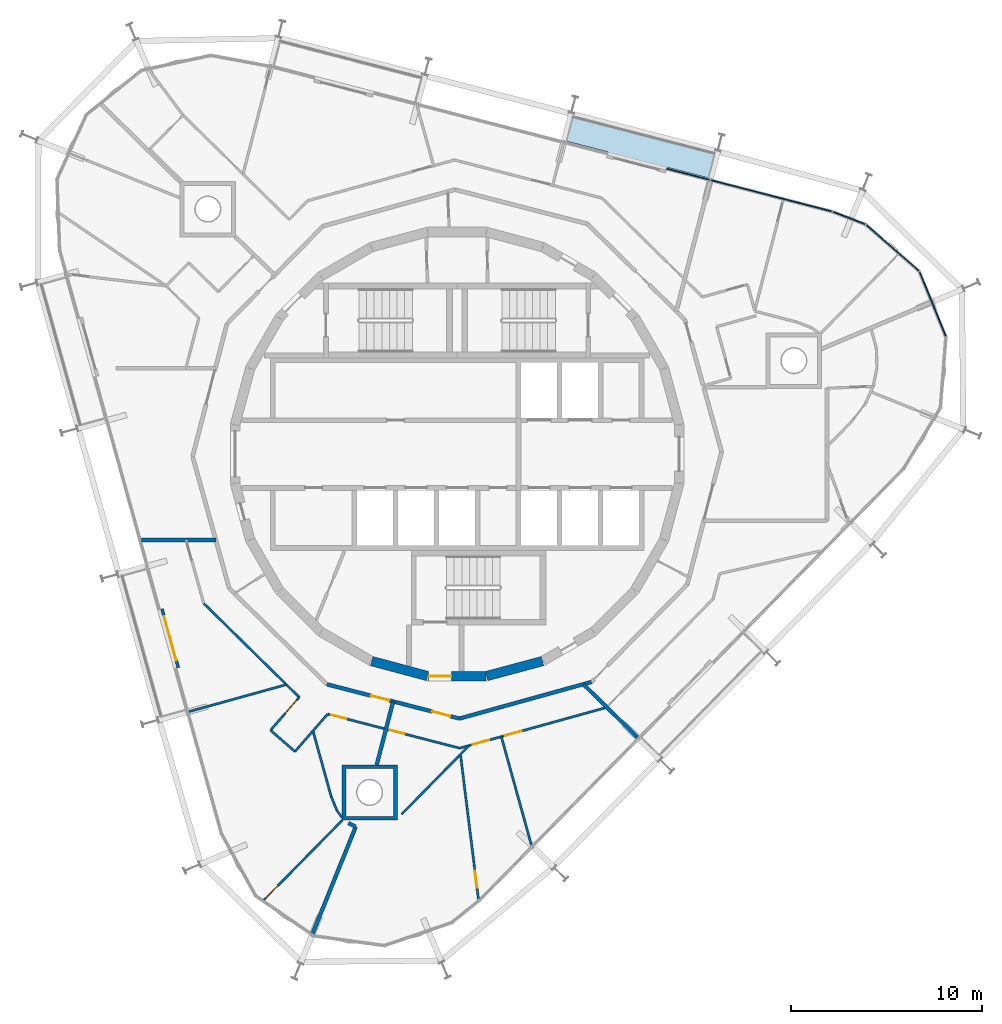
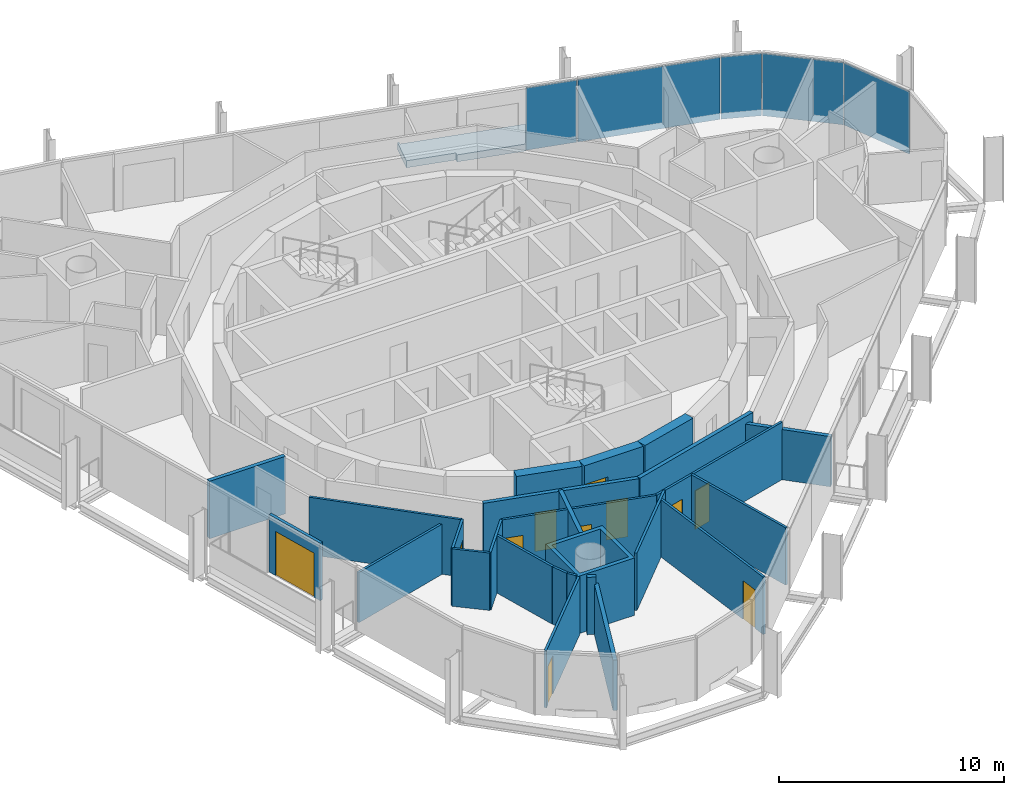
# One storey, part 9 of 15: 26 walls, 11 doors, 5 plates, 1 slab, 11 openings, 2 elements without a shape of their own.
"""IFC4 building model written with IfcOpenShell, lengths in metres."""

from ifc_helpers import new_model, si_unit, direction, frame, frame_2d, origin, origin_2d, place, context, subcontext, project, spatial, polyline, rectangle, outline, extrude, material, layer, layer_set, type_object, element, fill, aggregate, save


model = new_model("IFC4")

# Units and contexts
model_context = context("Model", 3, precision=1e-05, world=origin(), true_north=direction((0.0, 1.0)))
body_context = subcontext(model_context, "Body", "Model", "MODEL_VIEW")
ifc_project = project(units=[si_unit("LENGTHUNIT", "METRE"), si_unit("AREAUNIT", "SQUARE_METRE"), si_unit("VOLUMEUNIT", "CUBIC_METRE"), si_unit("PLANEANGLEUNIT", "RADIAN"), si_unit("MASSUNIT", "GRAM", prefix="KILO")], contexts=[model_context])

# Site, building, storey
site_placement = place(None, origin())
site = spatial("IfcSite", under=ifc_project, at=site_placement, CompositionType="ELEMENT")
building_placement = place(site_placement, origin())
building = spatial("IfcBuilding", under=site, at=building_placement, Name="Spindle Arch Residences", CompositionType="ELEMENT")
storey_placement = place(building_placement, frame((0.0, 0.0, 315.699951171875)))
storey = spatial("IfcBuildingStorey", under=building, at=storey_placement, Name="L81", CompositionType="ELEMENT", Elevation=315.699951171875)

# Slab
ifc_material_1 = material(Name="Concrete C40/50", Category="concrete")
ifc_layer_1 = layer(ifc_material_1, 0.3798828125)
ifc_layer_set_1 = layer_set([ifc_layer_1], Name="Balcony slab 380")
slab_type = type_object("IfcSlabType", Name="Balcony slab 380", PredefinedType="FLOOR", material=ifc_layer_set_1)
slab_placement = place(storey_placement, frame((0.0, 0.0, -0.3798828125)))
element("IfcSlab", 1, at=slab_placement, inside=storey, type_object=slab_type, Name="Balcony L81 bay 6", PredefinedType="FLOOR", context=body_context, shape_type="SweptSolid", body=[
    extrude(outline(polyline([(13.600830078125, 15.916259765625), (13.5283203125, 15.93505859375), (13.49072265625, 15.789794921875), (6.098876953125, 17.701416015625), (6.136474609375, 17.8466796875), (6.063720703125, 17.865478515625), (5.690673828125, 16.4228515625), (7.91015625, 15.848876953125), (7.8701171875, 15.694091796875), (10.96826171875, 14.892822265625), (11.00830078125, 15.047607421875), (13.227783203125, 14.4736328125), (13.600830078125, 15.916259765625)])), origin(), (0.0, 0.0, 1.0), 0.3798828125),
])

# Curtain wall, plates
ifc_material_2 = material(Name="Aluminium bronze unitised frame with tinted glass", Category="aluminium")
ifc_layer_2 = layer(ifc_material_2, 0.159912109375)
ifc_layer_set_2 = layer_set([ifc_layer_2], Name="CW-D corner wall on the fillet arcs")
curtain_wall_type_1 = type_object("IfcCurtainWallType", Name="CW-D corner wall on the fillet arcs", PredefinedType="NOTDEFINED", material=ifc_layer_set_2)
curtain_wall_1_placement = place(storey_placement, origin())
curtain_wall_1 = element("IfcCurtainWall", 2, at=curtain_wall_1_placement, inside=storey, type_object=curtain_wall_type_1, Name="CW-D L81 run 1", PredefinedType="NOTDEFINED")
ifc_material_3 = material(Name="Tinted double glazing over aluminium faced non-combustible spandrel zone (K0)", Category="aluminium")
ifc_layer_3 = layer(ifc_material_3, 0.06005859375)
ifc_layer_set_3 = layer_set([ifc_layer_3], Name="Unitised glass panel with E 60 spandrel zone")
plate_type = type_object("IfcPlateType", Name="Unitised glass panel with E 60 spandrel zone", PredefinedType="CURTAIN_PANEL", material=ifc_layer_set_3)
plate_1_placement = place(storey_placement, frame((24.94384765625, 7.86474609375, -0.3798828125), z_axis=(0.0, 0.0, 1.0), x_axis=(-0.377302072189, 0.926090247396, 0.0)))
plate_1 = element("IfcPlate", 3, at=plate_1_placement, type_object=plate_type, Name="CW-D unit 03", PredefinedType="CURTAIN_PANEL", context=body_context, shape_type="SweptSolid", body=[
    extrude(rectangle(XDim=3.666748046875, YDim=0.06005859375, at=origin_2d()), origin(), (0.0, 0.0, 1.0), 3.3798828125),
])
plate_2_placement = place(storey_placement, frame((22.837890625, 10.81689453125, -0.3798828125), z_axis=(0.0, 0.0, 1.0), x_axis=(-0.752797991635, 0.658251611308, 0.0)))
plate_2 = element("IfcPlate", 4, at=plate_2_placement, type_object=plate_type, Name="CW-D unit 04", PredefinedType="CURTAIN_PANEL", context=body_context, shape_type="SweptSolid", body=[
    extrude(rectangle(XDim=3.666748046875, YDim=0.06005859375, at=origin_2d()), origin(), (0.0, 0.0, 1.0), 3.3798828125),
])
plate_3_placement = place(storey_placement, frame((20.560546875, 12.38232421875, -0.3798828125), z_axis=(0.0, 0.0, 1.0), x_axis=(-0.932534030225, 0.361082099353, 0.0)))
plate_3 = element("IfcPlate", 5, at=plate_3_placement, type_object=plate_type, Name="CW-D unit 05", PredefinedType="CURTAIN_PANEL", context=body_context, shape_type="SweptSolid", body=[
    extrude(rectangle(XDim=1.816162109375, YDim=0.06005859375, at=origin_2d()), origin(), (0.0, 0.0, 1.0), 3.3798828125),
])
plate_4_placement = place(storey_placement, frame((16.483154296875, 13.549072265625, -0.3798828125), z_axis=(0.0, 0.0, 1.0), x_axis=(-0.968147640378, 0.250380004054, 0.0)))
plate_4 = element("IfcPlate", 6, at=plate_4_placement, type_object=plate_type, Name="CW-D unit 06", PredefinedType="CURTAIN_PANEL", context=body_context, shape_type="SweptSolid", body=[
    extrude(rectangle(XDim=6.555908203125, YDim=0.06005859375, at=origin_2d()), origin(), (0.0, 0.0, 1.0), 3.3798828125),
])
aggregate(curtain_wall_1, [plate_1, plate_2, plate_3, plate_4])

# Curtain wall, plate
ifc_material_4 = material(Name="Aluminium bronze unitised frame with tinted glass", Category="aluminium")
ifc_layer_4 = layer(ifc_material_4, 0.159912109375)
ifc_layer_set_4 = layer_set([ifc_layer_4], Name="CW-C typical residential unitised wall")
curtain_wall_type_2 = type_object("IfcCurtainWallType", Name="CW-C typical residential unitised wall", PredefinedType="NOTDEFINED", material=ifc_layer_set_4)
curtain_wall_2_placement = place(storey_placement, origin())
curtain_wall_2 = element("IfcCurtainWall", 7, at=curtain_wall_2_placement, inside=storey, type_object=curtain_wall_type_2, Name="CW-C L81 run 2", PredefinedType="NOTDEFINED")
plate_5_placement = place(storey_placement, frame((12.119873046875, 14.677490234375, -0.3798828125), z_axis=(0.0, 0.0, 1.0), x_axis=(-0.968147640378, 0.250380004054, 0.0)))
plate_5 = element("IfcPlate", 8, at=plate_5_placement, type_object=plate_type, Name="CW-C unit 05L", PredefinedType="CURTAIN_PANEL", context=body_context, shape_type="SweptSolid", body=[
    extrude(rectangle(XDim=2.337646484375, YDim=0.06005859375, at=origin_2d()), origin(), (0.0, 0.0, 1.0), 3.3798828125),
])
aggregate(curtain_wall_2, [plate_5])

# Walls
ifc_material_5 = material(Name="Concrete C50/60", Category="concrete")
ifc_layer_5 = layer(ifc_material_5, 0.5)
ifc_layer_set_5 = layer_set([ifc_layer_5], Name="Core outline wall 500")
wall_type_1 = type_object("IfcWallType", Name="Core outline wall 500", PredefinedType="SHEAR", material=ifc_layer_set_5)
for number, where, z_axis, x_axis, name in (
    (9, (1.5498046875, -11.642822265625, 0.0), (0.0, 0.0, 1.0), (0.965948410781, 0.258734743916, 0.0), "Core outline wall 1"),
    (10, (-4.479248046875, -10.858154296875, 0.0), (0.0, 0.0, 1.0), (0.965948410781, -0.258734743916, 0.0), "Core outline wall 23"),
):
    element("IfcWall", number, at=place(storey_placement, frame(where, z_axis=z_axis, x_axis=x_axis)), inside=storey, type_object=wall_type_1, Name=name, PredefinedType="SHEAR", context=body_context, shape_type="SweptSolid", body=[
        extrude(rectangle(XDim=3.03271484375, YDim=0.5, at=frame_2d((1.516357421875, 0.0))), origin(), (0.0, 0.0, 1.0), 3.1201171875),
    ])

# Wall, opening, door
wall_1_placement = place(storey_placement, frame((-1.516357421875, -11.647216796875, 0.0), z_axis=(0.0, 0.0, 1.0), x_axis=(1.0, 0.0, 0.0)))
wall_1 = element("IfcWall", 11, at=wall_1_placement, inside=storey, type_object=wall_type_1, Name="Core outline wall 24", PredefinedType="SHEAR", context=body_context, shape_type="SweptSolid", body=[
    extrude(rectangle(XDim=3.03271484375, YDim=0.5, at=frame_2d((1.516357421875, 0.0))), origin(), (0.0, 0.0, 1.0), 3.1201171875),
])
opening_1_placement = place(wall_1_placement, frame((0.016357421875, 0.0, 0.0)))
opening_1 = element("IfcOpeningElement", 12, at=opening_1_placement, cuts=wall_1, Name="Opening R8B1-AD03", PredefinedType="OPENING", context=body_context, shape_type="SweptSolid", body=[
    extrude(rectangle(XDim=1.199951171875, YDim=2.10009765625, at=frame_2d((0.60009765625, 1.050048828125))), frame((0.0, 0.260009765625, 0.0), z_axis=(0.0, -1.0, 0.0), x_axis=(1.0, 0.0, 0.0)), (0.0, 0.0, 1.0), 0.52001953125),
])
ifc_material_6 = material(Name="Steel, fire-resisting door", Category="steel")
door_type_1 = type_object("IfcDoorType", Name="Stair airlock door 1200x2100", OperationType="SINGLE_SWING_LEFT", PredefinedType="DOOR", material=ifc_material_6)
door_1_placement = place(opening_1_placement, origin())
door_1 = element("IfcDoor", 13, at=door_1_placement, inside=storey, type_object=door_type_1, Name="Stair airlock door R8B1-AD03", OperationType="SINGLE_SWING_RIGHT", OverallHeight=2.10009765625, OverallWidth=1.199951171875, PredefinedType="DOOR", context=body_context, shape_type="SweptSolid", body=[
    extrude(rectangle(XDim=1.199951171875, YDim=2.10009765625, at=frame_2d((0.60009765625, 1.050048828125))), frame((0.0, 0.02490234375, 0.0), z_axis=(0.0, -1.0, 0.0), x_axis=(1.0, 0.0, 0.0)), (0.0, 0.0, 1.0), 0.050048828125),
])
fill(opening_1, door_1)

# Wall, openings, doors
ifc_material_7 = material(Name="Calcium silicate block, plastered")
ifc_layer_6 = layer(ifc_material_7, 0.199951171875)
ifc_layer_set_6 = layer_set([ifc_layer_6], Name="Corridor wall 200")
wall_type_2 = type_object("IfcWallType", Name="Corridor wall 200", PredefinedType="STANDARD", material=ifc_layer_set_6)
wall_2_placement = place(storey_placement, frame((-6.831298828125, -12.07421875, 0.0), z_axis=(0.0, 0.0, 1.0), x_axis=(0.968144780225, -0.250391063186, 0.0)))
wall_2 = element("IfcWall", 14, at=wall_2_placement, inside=storey, type_object=wall_type_2, Name="Corridor wall R8B1-W014", PredefinedType="STANDARD", context=body_context, shape_type="SweptSolid", body=[
    extrude(rectangle(XDim=7.18115234375, YDim=0.199951171875, at=frame_2d((3.590576171875, 0.0))), origin(), (0.0, 0.0, 1.0), 3.1201171875),
])
opening_2_placement = place(wall_2_placement, frame((2.390380859375, 0.0, 0.0)))
opening_2 = element("IfcOpeningElement", 15, at=opening_2_placement, cuts=wall_2, Name="Opening R8B1-FD04", PredefinedType="OPENING", context=body_context, shape_type="SweptSolid", body=[
    extrude(rectangle(XDim=1.0, YDim=2.10009765625, at=frame_2d((0.5, 1.050048828125))), frame((0.0, 0.10986328125, 0.0), z_axis=(0.0, -1.0, 0.0), x_axis=(1.0, 0.0, 0.0)), (0.0, 0.0, 1.0), 0.219970703125),
])
opening_3_placement = place(wall_2_placement, frame((5.6904296875, 0.0, 0.0)))
opening_3 = element("IfcOpeningElement", 16, at=opening_3_placement, cuts=wall_2, Name="Opening R8B1-FD05", PredefinedType="OPENING", context=body_context, shape_type="SweptSolid", body=[
    extrude(rectangle(XDim=1.0, YDim=2.10009765625, at=frame_2d((0.5, 1.050048828125))), frame((0.0, 0.10986328125, 0.0), z_axis=(0.0, -1.0, 0.0), x_axis=(1.0, 0.0, 0.0)), (0.0, 0.0, 1.0), 0.219970703125),
])
ifc_material_8 = material(Name="Timber, fire-resisting door set", Category="wood")
door_type_2 = type_object("IfcDoorType", Name="Flat entrance door 1000x2100", OperationType="NOTDEFINED", PredefinedType="DOOR", material=ifc_material_8)
door_2_placement = place(opening_2_placement, origin())
door_2 = element("IfcDoor", 17, at=door_2_placement, inside=storey, type_object=door_type_2, Name="Flat entrance door R8B1-FD04", OperationType="SINGLE_SWING_RIGHT", OverallHeight=2.10009765625, OverallWidth=1.0, PredefinedType="DOOR", context=body_context, shape_type="SweptSolid", body=[
    extrude(rectangle(XDim=1.0, YDim=2.10009765625, at=frame_2d((0.5, 1.050048828125))), frame((0.0, 0.02490234375, 0.0), z_axis=(0.0, -1.0, 0.0), x_axis=(1.0, 0.0, 0.0)), (0.0, 0.0, 1.0), 0.050048828125),
])
fill(opening_2, door_2)
door_3_placement = place(opening_3_placement, origin())
door_3 = element("IfcDoor", 18, at=door_3_placement, inside=storey, type_object=door_type_2, Name="Flat entrance door R8B1-FD05", OperationType="SINGLE_SWING_LEFT", OverallHeight=2.10009765625, OverallWidth=1.0, PredefinedType="DOOR", context=body_context, shape_type="SweptSolid", body=[
    extrude(rectangle(XDim=1.0, YDim=2.10009765625, at=frame_2d((0.5, 1.050048828125))), frame((0.0, 0.02490234375, 0.0), z_axis=(0.0, -1.0, 0.0), x_axis=(1.0, 0.0, 0.0)), (0.0, 0.0, 1.0), 0.050048828125),
])
fill(opening_3, door_3)

# Walls
wall_3_placement = place(storey_placement, frame((0.12109375, -13.872314453125, 0.0), z_axis=(0.0, 0.0, 1.0), x_axis=(0.963625960674, 0.267254575108, 0.0)))
element("IfcWall", 19, at=wall_3_placement, inside=storey, type_object=wall_type_2, Name="Corridor wall R8B1-W015", PredefinedType="STANDARD", context=body_context, shape_type="SweptSolid", body=[
    extrude(rectangle(XDim=7.18115234375, YDim=0.199951171875, at=frame_2d((3.590576171875, 0.0))), origin(), (0.0, 0.0, 1.0), 3.1201171875),
])
ifc_material_9 = material(Name="Plasterboard on steel studs", Category="steel")
ifc_layer_7 = layer(ifc_material_9, 0.1201171875)
ifc_layer_set_7 = layer_set([ifc_layer_7], Name="Flat partition 120")
wall_type_3 = type_object("IfcWallType", Name="Flat partition 120", PredefinedType="PARTITIONING", material=ifc_layer_set_7)
wall_4_placement = place(storey_placement, frame((-13.291259765625, -7.8291015625, 0.0), z_axis=(0.0, 0.0, 1.0), x_axis=(0.71326209988, -0.700897408238, 0.0)))
element("IfcWall", 20, at=wall_4_placement, inside=storey, type_object=wall_type_3, Name="Flat partition R8B1-W060", PredefinedType="PARTITIONING", context=body_context, shape_type="SweptSolid", body=[
    extrude(rectangle(XDim=7.029296875, YDim=0.1201171875, at=frame_2d((3.5146484375, 0.0))), origin(), (0.0, 0.0, 1.0), 3.1201171875),
])

# Wall, opening, door
wall_5_placement = place(storey_placement, frame((-8.277587890625, -12.755859375, 0.0), z_axis=(0.0, 0.0, 1.0), x_axis=(-0.657358463875, -0.753578031774, 0.0)))
wall_5 = element("IfcWall", 21, at=wall_5_placement, inside=storey, type_object=wall_type_3, Name="Flat partition R8B1-W061", PredefinedType="PARTITIONING", context=body_context, shape_type="SweptSolid", body=[
    extrude(rectangle(XDim=2.293701171875, YDim=0.1201171875, at=frame_2d((1.14697265625, 0.0))), origin(), (0.0, 0.0, 1.0), 3.1201171875),
])
opening_4_placement = place(wall_5_placement, frame((0.199951171875, 0.0, 0.0)))
opening_4 = element("IfcOpeningElement", 22, at=opening_4_placement, cuts=wall_5, Name="Opening R8B1-ID13", PredefinedType="OPENING", context=body_context, shape_type="SweptSolid", body=[
    extrude(rectangle(XDim=0.89990234375, YDim=2.10009765625, at=frame_2d((0.449951171875, 1.050048828125))), frame((0.0, 0.070068359375, 0.0), z_axis=(0.0, -1.0, 0.0), x_axis=(1.0, 0.0, 0.0)), (0.0, 0.0, 1.0), 0.14013671875),
])
ifc_material_10 = material(Name="Timber door set", Category="wood")
door_type_3 = type_object("IfcDoorType", Name="Room door 900x2100", OperationType="NOTDEFINED", PredefinedType="DOOR", material=ifc_material_10)
door_4_placement = place(opening_4_placement, origin())
door_4 = element("IfcDoor", 23, at=door_4_placement, inside=storey, type_object=door_type_3, Name="Room door R8B1-ID13", OperationType="SINGLE_SWING_RIGHT", OverallHeight=2.10009765625, OverallWidth=0.89990234375, PredefinedType="DOOR", context=body_context, shape_type="SweptSolid", body=[
    extrude(rectangle(XDim=0.89990234375, YDim=2.10009765625, at=frame_2d((0.449951171875, 1.050048828125))), frame((0.0, 0.02490234375, 0.0), z_axis=(0.0, -1.0, 0.0), x_axis=(1.0, 0.0, 0.0)), (0.0, 0.0, 1.0), 0.050048828125),
])
fill(opening_4, door_4)

# Walls
wall_6_placement = place(storey_placement, frame((-9.785400390625, -14.484375, 0.0), z_axis=(0.0, 0.0, 1.0), x_axis=(0.753643217927, -0.657283728745, 0.0)))
element("IfcWall", 24, at=wall_6_placement, inside=storey, type_object=wall_type_3, Name="Flat partition R8B1-W062", PredefinedType="PARTITIONING", context=body_context, shape_type="SweptSolid", body=[
    extrude(rectangle(XDim=1.7001953125, YDim=0.1201171875, at=frame_2d((0.85009765625, 0.0))), origin(), (0.0, 0.0, 1.0), 3.1201171875),
])
wall_7_placement = place(storey_placement, frame((-8.504150390625, -15.601806640625, 0.0), z_axis=(0.0, 0.0, 1.0), x_axis=(0.657298689015, 0.753630170189, 0.0)))
element("IfcWall", 25, at=wall_7_placement, inside=storey, type_object=wall_type_3, Name="Flat partition R8B1-W063", PredefinedType="PARTITIONING", context=body_context, shape_type="SweptSolid", body=[
    extrude(rectangle(XDim=2.6103515625, YDim=0.1201171875, at=frame_2d((1.30517578125, 0.0))), origin(), (0.0, 0.0, 1.0), 3.1201171875),
])

# Wall, openings, doors
wall_8_placement = place(storey_placement, frame((-6.788330078125, -13.634521484375, 0.0), z_axis=(0.0, 0.0, 1.0), x_axis=(0.968142345176, -0.250400478189, 0.0)))
wall_8 = element("IfcWall", 26, at=wall_8_placement, inside=storey, type_object=wall_type_3, Name="Flat partition R8B1-W064", PredefinedType="PARTITIONING", context=body_context, shape_type="SweptSolid", body=[
    extrude(rectangle(XDim=7.150634765625, YDim=0.1201171875, at=frame_2d((3.5751953125, 0.0))), origin(), (0.0, 0.0, 1.0), 3.1201171875),
])
opening_5_placement = place(wall_8_placement, frame((0.199951171875, 0.0, 0.0)))
opening_5 = element("IfcOpeningElement", 27, at=opening_5_placement, cuts=wall_8, Name="Opening R8B1-BD04", PredefinedType="OPENING", context=body_context, shape_type="SweptSolid", body=[
    extrude(rectangle(XDim=0.800048828125, YDim=2.10009765625, at=frame_2d((0.39990234375, 1.050048828125))), frame((0.0, 0.070068359375, 0.0), z_axis=(0.0, -1.0, 0.0), x_axis=(1.0, 0.0, 0.0)), (0.0, 0.0, 1.0), 0.14013671875),
])
opening_6_placement = place(wall_8_placement, frame((3.358154296875, 0.0, 0.0)))
opening_6 = element("IfcOpeningElement", 28, at=opening_6_placement, cuts=wall_8, Name="Opening R8B1-BD05", PredefinedType="OPENING", context=body_context, shape_type="SweptSolid", body=[
    extrude(rectangle(XDim=0.800048828125, YDim=2.10009765625, at=frame_2d((0.39990234375, 1.050048828125))), frame((0.0, 0.070068359375, 0.0), z_axis=(0.0, -1.0, 0.0), x_axis=(1.0, 0.0, 0.0)), (0.0, 0.0, 1.0), 0.14013671875),
])
ifc_material_11 = material(Name="Timber door set", Category="wood")
door_type_4 = type_object("IfcDoorType", Name="Bathroom door 800x2100", OperationType="NOTDEFINED", PredefinedType="DOOR", material=ifc_material_11)
door_5_placement = place(opening_5_placement, origin())
door_5 = element("IfcDoor", 29, at=door_5_placement, inside=storey, type_object=door_type_4, Name="Bathroom door R8B1-BD04", OperationType="SINGLE_SWING_RIGHT", OverallHeight=2.10009765625, OverallWidth=0.800048828125, PredefinedType="DOOR", context=body_context, shape_type="SweptSolid", body=[
    extrude(rectangle(XDim=0.800048828125, YDim=2.10009765625, at=frame_2d((0.39990234375, 1.050048828125))), frame((0.0, 0.02490234375, 0.0), z_axis=(0.0, -1.0, 0.0), x_axis=(1.0, 0.0, 0.0)), (0.0, 0.0, 1.0), 0.050048828125),
])
fill(opening_5, door_5)
door_6_placement = place(opening_6_placement, origin())
door_6 = element("IfcDoor", 30, at=door_6_placement, inside=storey, type_object=door_type_4, Name="Bathroom door R8B1-BD05", OperationType="SINGLE_SWING_RIGHT", OverallHeight=2.10009765625, OverallWidth=0.800048828125, PredefinedType="DOOR", context=body_context, shape_type="SweptSolid", body=[
    extrude(rectangle(XDim=0.800048828125, YDim=2.10009765625, at=frame_2d((0.39990234375, 1.050048828125))), frame((0.0, 0.02490234375, 0.0), z_axis=(0.0, -1.0, 0.0), x_axis=(1.0, 0.0, 0.0)), (0.0, 0.0, 1.0), 0.050048828125),
])
fill(opening_6, door_6)

# Walls
wall_9_placement = place(storey_placement, frame((-6.04150390625, -19.060546875, 0.0), z_axis=(0.0, 0.0, 1.0), x_axis=(-0.580679627377, 0.814132157791, 0.0)))
element("IfcWall", 31, at=wall_9_placement, inside=storey, type_object=wall_type_3, Name="Flat partition R8B1-W066", PredefinedType="PARTITIONING", context=body_context, shape_type="SweptSolid", body=[
    extrude(rectangle(XDim=0.454833984375, YDim=0.1201171875, at=frame_2d((0.2275390625, 0.0))), origin(), (0.0, 0.0, 1.0), 3.1201171875),
])
wall_10_placement = place(storey_placement, frame((-6.3056640625, -18.690185546875, 0.0), z_axis=(0.0, 0.0, 1.0), x_axis=(-0.377123826076, 0.926162847347, 0.0)))
element("IfcWall", 32, at=wall_10_placement, inside=storey, type_object=wall_type_3, Name="Flat partition R8B1-W067", PredefinedType="PARTITIONING", context=body_context, shape_type="SweptSolid", body=[
    extrude(rectangle(XDim=0.806640625, YDim=0.1201171875, at=frame_2d((0.4033203125, 0.0))), origin(), (0.0, 0.0, 1.0), 3.1201171875),
])
wall_11_placement = place(storey_placement, frame((-6.60986328125, -17.943115234375, 0.0), z_axis=(0.0, 0.0, 1.0), x_axis=(-0.267254066434, 0.96362610175, 0.0)))
element("IfcWall", 33, at=wall_11_placement, inside=storey, type_object=wall_type_3, Name="Flat partition R8B1-W068", PredefinedType="PARTITIONING", context=body_context, shape_type="SweptSolid", body=[
    extrude(rectangle(XDim=3.553466796875, YDim=0.1201171875, at=frame_2d((1.77685546875, 0.0))), origin(), (0.0, 0.0, 1.0), 3.1201171875),
])

# Wall, opening, door
wall_12_placement = place(storey_placement, frame((-10.169189453125, -23.42138671875, 0.0), z_axis=(0.0, 0.0, 1.0), x_axis=(0.70104569517, 0.713116353258, 0.0)))
wall_12 = element("IfcWall", 34, at=wall_12_placement, inside=storey, type_object=wall_type_3, Name="Flat partition R8B1-W069", PredefinedType="PARTITIONING", context=body_context, shape_type="SweptSolid", body=[
    extrude(rectangle(XDim=5.92626953125, YDim=0.1201171875, at=frame_2d((2.963134765625, 0.0))), origin(), (0.0, 0.0, 1.0), 3.1201171875),
])
opening_7_placement = place(wall_12_placement, frame((0.199951171875, 0.0, 0.0)))
opening_7 = element("IfcOpeningElement", 35, at=opening_7_placement, cuts=wall_12, Name="Opening R8B1-ID14", PredefinedType="OPENING", context=body_context, shape_type="SweptSolid", body=[
    extrude(rectangle(XDim=0.89990234375, YDim=2.10009765625, at=frame_2d((0.449951171875, 1.050048828125))), frame((0.0, 0.070068359375, 0.0), z_axis=(0.0, -1.0, 0.0), x_axis=(1.0, 0.0, 0.0)), (0.0, 0.0, 1.0), 0.14013671875),
])
door_7_placement = place(opening_7_placement, origin())
door_7 = element("IfcDoor", 36, at=door_7_placement, inside=storey, type_object=door_type_3, Name="Room door R8B1-ID14", OperationType="SINGLE_SWING_RIGHT", OverallHeight=2.10009765625, OverallWidth=0.89990234375, PredefinedType="DOOR", context=body_context, shape_type="SweptSolid", body=[
    extrude(rectangle(XDim=0.89990234375, YDim=2.10009765625, at=frame_2d((0.449951171875, 1.050048828125))), frame((0.0, 0.02490234375, 0.0), z_axis=(0.0, -1.0, 0.0), x_axis=(1.0, 0.0, 0.0)), (0.0, 0.0, 1.0), 0.050048828125),
])
fill(opening_7, door_7)

# Wall, openings, doors
wall_13_placement = place(storey_placement, frame((0.134521484375, -15.425048828125, 0.0), z_axis=(0.0, 0.0, 1.0), x_axis=(0.963633899075, 0.267225950373, 0.0)))
wall_13 = element("IfcWall", 37, at=wall_13_placement, inside=storey, type_object=wall_type_3, Name="Flat partition R8B1-W070", PredefinedType="PARTITIONING", context=body_context, shape_type="SweptSolid", body=[
    extrude(rectangle(XDim=7.98486328125, YDim=0.1201171875, at=frame_2d((3.992431640625, 0.0))), origin(), (0.0, 0.0, 1.0), 3.1201171875),
])
opening_8_placement = place(wall_13_placement, frame((0.714111328125, 0.0, 0.0)))
opening_8 = element("IfcOpeningElement", 38, at=opening_8_placement, cuts=wall_13, Name="Opening R8B1-ID15", PredefinedType="OPENING", context=body_context, shape_type="SweptSolid", body=[
    extrude(rectangle(XDim=0.89990234375, YDim=2.10009765625, at=frame_2d((0.449951171875, 1.050048828125))), frame((0.0, 0.070068359375, 0.0), z_axis=(0.0, -1.0, 0.0), x_axis=(1.0, 0.0, 0.0)), (0.0, 0.0, 1.0), 0.14013671875),
])
opening_9_placement = place(wall_13_placement, frame((2.466796875, 0.0, 0.0)))
opening_9 = element("IfcOpeningElement", 39, at=opening_9_placement, cuts=wall_13, Name="Opening R8B1-ID16", PredefinedType="OPENING", context=body_context, shape_type="SweptSolid", body=[
    extrude(rectangle(XDim=0.89990234375, YDim=2.10009765625, at=frame_2d((0.449951171875, 1.050048828125))), frame((0.0, 0.070068359375, 0.0), z_axis=(0.0, -1.0, 0.0), x_axis=(1.0, 0.0, 0.0)), (0.0, 0.0, 1.0), 0.14013671875),
])
door_8_placement = place(opening_8_placement, origin())
door_8 = element("IfcDoor", 40, at=door_8_placement, inside=storey, type_object=door_type_3, Name="Room door R8B1-ID15", OperationType="SINGLE_SWING_LEFT", OverallHeight=2.10009765625, OverallWidth=0.89990234375, PredefinedType="DOOR", context=body_context, shape_type="SweptSolid", body=[
    extrude(rectangle(XDim=0.89990234375, YDim=2.10009765625, at=frame_2d((0.449951171875, 1.050048828125))), frame((0.0, 0.02490234375, 0.0), z_axis=(0.0, -1.0, 0.0), x_axis=(1.0, 0.0, 0.0)), (0.0, 0.0, 1.0), 0.050048828125),
])
fill(opening_8, door_8)
door_9_placement = place(opening_9_placement, origin())
door_9 = element("IfcDoor", 41, at=door_9_placement, inside=storey, type_object=door_type_3, Name="Room door R8B1-ID16", OperationType="SINGLE_SWING_LEFT", OverallHeight=2.10009765625, OverallWidth=0.89990234375, PredefinedType="DOOR", context=body_context, shape_type="SweptSolid", body=[
    extrude(rectangle(XDim=0.89990234375, YDim=2.10009765625, at=frame_2d((0.449951171875, 1.050048828125))), frame((0.0, 0.02490234375, 0.0), z_axis=(0.0, -1.0, 0.0), x_axis=(1.0, 0.0, 0.0)), (0.0, 0.0, 1.0), 0.050048828125),
])
fill(opening_9, door_9)

# Wall
wall_14_placement = place(storey_placement, frame((-2.917724609375, -18.89794921875, 0.0), z_axis=(0.0, 0.0, 1.0), x_axis=(0.700881606707, 0.713277627141, 0.0)))
element("IfcWall", 42, at=wall_14_placement, inside=storey, type_object=wall_type_3, Name="Flat partition R8B1-W071", PredefinedType="PARTITIONING", context=body_context, shape_type="SweptSolid", body=[
    extrude(rectangle(XDim=5.0615234375, YDim=0.1201171875, at=frame_2d((2.53076171875, 0.0))), origin(), (0.0, 0.0, 1.0), 3.1201171875),
])

# Wall, opening, door
wall_15_placement = place(storey_placement, frame((1.119140625, -23.35009765625, 0.0), z_axis=(0.0, 0.0, 1.0), x_axis=(-0.123281341476, 0.992371760402, 0.0)))
wall_15 = element("IfcWall", 43, at=wall_15_placement, inside=storey, type_object=wall_type_3, Name="Flat partition R8B1-W072", PredefinedType="PARTITIONING", context=body_context, shape_type="SweptSolid", body=[
    extrude(rectangle(XDim=7.657958984375, YDim=0.1201171875, at=frame_2d((3.8291015625, 0.0))), origin(), (0.0, 0.0, 1.0), 3.1201171875),
])
opening_10_placement = place(wall_15_placement, frame((0.60009765625, 0.0, 0.0)))
opening_10 = element("IfcOpeningElement", 44, at=opening_10_placement, cuts=wall_15, Name="Opening R8B1-ID17", PredefinedType="OPENING", context=body_context, shape_type="SweptSolid", body=[
    extrude(rectangle(XDim=0.89990234375, YDim=2.10009765625, at=frame_2d((0.449951171875, 1.050048828125))), frame((0.0, 0.070068359375, 0.0), z_axis=(0.0, -1.0, 0.0), x_axis=(1.0, 0.0, 0.0)), (0.0, 0.0, 1.0), 0.14013671875),
])
door_10_placement = place(opening_10_placement, origin())
door_10 = element("IfcDoor", 45, at=door_10_placement, inside=storey, type_object=door_type_3, Name="Room door R8B1-ID17", OperationType="SINGLE_SWING_LEFT", OverallHeight=2.10009765625, OverallWidth=0.89990234375, PredefinedType="DOOR", context=body_context, shape_type="SweptSolid", body=[
    extrude(rectangle(XDim=0.89990234375, YDim=2.10009765625, at=frame_2d((0.449951171875, 1.050048828125))), frame((0.0, 0.02490234375, 0.0), z_axis=(0.0, -1.0, 0.0), x_axis=(1.0, 0.0, 0.0)), (0.0, 0.0, 1.0), 0.050048828125),
])
fill(opening_10, door_10)

# Walls
wall_16_placement = place(storey_placement, frame((3.89990234375, -20.5205078125, 0.0), z_axis=(0.0, 0.0, 1.0), x_axis=(-0.267235205115, 0.963631332589, 0.0)))
element("IfcWall", 46, at=wall_16_placement, inside=storey, type_object=wall_type_3, Name="Flat partition R8B1-W073", PredefinedType="PARTITIONING", context=body_context, shape_type="SweptSolid", body=[
    extrude(rectangle(XDim=5.916259765625, YDim=0.1201171875, at=frame_2d((2.9580078125, 0.0))), origin(), (0.0, 0.0, 1.0), 3.1201171875),
])
ifc_material_12 = material(Name="Plasterboard on steel studs", Category="steel")
ifc_layer_8 = layer(ifc_material_12, 0.1201171875)
ifc_layer_set_8 = layer_set([ifc_layer_8], Name="Flat partition 120 under beam 2730")
wall_type_4 = type_object("IfcWallType", Name="Flat partition 120 under beam 2730", PredefinedType="PARTITIONING", material=ifc_layer_set_8)
wall_17_placement = place(storey_placement, frame((-14.06640625, -13.5078125, 0.0), z_axis=(0.0, 0.0, 1.0), x_axis=(0.963634530082, 0.267223674913, 0.0)))
element("IfcWall", 47, at=wall_17_placement, inside=storey, type_object=wall_type_4, Name="Flat partition R8B1-W065", PredefinedType="PARTITIONING", context=body_context, shape_type="SweptSolid", body=[
    extrude(rectangle(XDim=5.304443359375, YDim=0.1201171875, at=frame_2d((2.65234375, 0.0))), origin(), (0.0, 0.0, 1.0), 2.72998046875),
])
ifc_material_13 = material(Name="Calcium silicate block, plastered")
ifc_layer_9 = layer(ifc_material_13, 0.199951171875)
ifc_layer_set_9 = layer_set([ifc_layer_9], Name="Flat party wall 200")
wall_type_5 = type_object("IfcWallType", Name="Flat party wall 200", PredefinedType="STANDARD", material=ifc_layer_set_9)
wall_18_placement = place(storey_placement, frame((-4.21435546875, -16.29541015625, 0.0), z_axis=(0.0, 0.0, 1.0), x_axis=(0.250428810918, 0.968135016752, 0.0)))
element("IfcWall", 48, at=wall_18_placement, inside=storey, type_object=wall_type_5, Name="Flat party wall R8B1-W026", PredefinedType="STANDARD", context=body_context, shape_type="SweptSolid", body=[
    extrude(rectangle(XDim=3.431640625, YDim=0.199951171875, at=frame_2d((1.7158203125, 0.0))), origin(), (0.0, 0.0, 1.0), 3.1201171875),
])
wall_19_placement = place(storey_placement, frame((-5.3271484375, -19.544921875, 0.0), z_axis=(0.0, 0.0, 1.0), x_axis=(-0.884418577045, 0.466694525979, 0.0)))
element("IfcWall", 49, at=wall_19_placement, inside=storey, type_object=wall_type_5, Name="Flat party wall R8B1-W028", PredefinedType="STANDARD", context=body_context, shape_type="SweptSolid", body=[
    extrude(rectangle(XDim=0.413818359375, YDim=0.199951171875, at=frame_2d((0.20703125, 0.0))), origin(), (0.0, 0.0, 1.0), 3.1201171875),
])
ifc_material_14 = material(Name="Calcium silicate block, plastered")
ifc_layer_10 = layer(ifc_material_14, 0.199951171875)
ifc_layer_set_10 = layer_set([ifc_layer_10], Name="Flat party wall 200 under beam 2730")
wall_type_6 = type_object("IfcWallType", Name="Flat party wall 200 under beam 2730", PredefinedType="STANDARD", material=ifc_layer_set_10)
wall_20_placement = place(storey_placement, frame((-7.581787109375, -25.15087890625, 0.0), z_axis=(0.0, 0.0, 1.0), x_axis=(0.3746561435, 0.927163833493, 0.0)))
element("IfcWall", 50, at=wall_20_placement, inside=storey, type_object=wall_type_6, Name="Flat party wall R8B1-W027", PredefinedType="STANDARD", context=body_context, shape_type="SweptSolid", body=[
    extrude(rectangle(XDim=6.041259765625, YDim=0.199951171875, at=frame_2d((3.0205078125, 0.0))), origin(), (0.0, 0.0, 1.0), 2.72998046875),
])
wall_21_placement = place(storey_placement, frame((9.4619140625, -14.860595703125, 0.0), z_axis=(0.0, 0.0, 1.0), x_axis=(-0.713302018318, 0.700856783276, 0.0)))
element("IfcWall", 51, at=wall_21_placement, inside=storey, type_object=wall_type_6, Name="Flat party wall R8B1-W029", PredefinedType="STANDARD", context=body_context, shape_type="SweptSolid", body=[
    extrude(rectangle(XDim=3.982177734375, YDim=0.199951171875, at=frame_2d((1.9912109375, 0.0))), origin(), (0.0, 0.0, 1.0), 2.72998046875),
])

# Wall, opening, door
ifc_material_15 = material(Name="Non-combustible mineral wool insulated aluminium faced external wall (K0)", Category="aluminium")
ifc_layer_11 = layer(ifc_material_15, 0.159912109375)
ifc_layer_set_11 = layer_set([ifc_layer_11], Name="Insulated external wall panel 160")
wall_type_7 = type_object("IfcWallType", Name="Insulated external wall panel 160", PredefinedType="STANDARD", material=ifc_layer_set_11)
wall_22_placement = place(storey_placement, frame((-15.47705078125, -8.12158203125, 0.0), z_axis=(0.0, 0.0, 1.0), x_axis=(0.267195229387, -0.963642417805, 0.0)))
wall_22 = element("IfcWall", 52, at=wall_22_placement, inside=storey, type_object=wall_type_7, Name="External wall L81 bay 14", PredefinedType="STANDARD", context=body_context, shape_type="SweptSolid", body=[
    extrude(rectangle(XDim=3.199951171875, YDim=0.159912109375, at=frame_2d((1.60009765625, 0.0))), origin(), (0.0, 0.0, 1.0), 3.1201171875),
])
opening_11_placement = place(wall_22_placement, frame((0.39990234375, 0.0, 0.0)))
opening_11 = element("IfcOpeningElement", 53, at=opening_11_placement, cuts=wall_22, Name="Opening BD14", PredefinedType="OPENING", context=body_context, shape_type="SweptSolid", body=[
    extrude(rectangle(XDim=2.39990234375, YDim=2.39990234375, at=frame_2d((1.199951171875, 1.199951171875))), frame((0.0, 0.08984375, 0.0), z_axis=(0.0, -1.0, 0.0), x_axis=(1.0, 0.0, 0.0)), (0.0, 0.0, 1.0), 0.179931640625),
])
ifc_material_16 = material(Name="Bronze aluminium frame, tinted double glazing", Category="aluminium")
door_type_5 = type_object("IfcDoorType", Name="Sliding glazed balcony door 2400x2400", OperationType="DOUBLE_DOOR_SLIDING", PredefinedType="DOOR", material=ifc_material_16)
door_11_placement = place(opening_11_placement, origin())
door_11 = element("IfcDoor", 54, at=door_11_placement, inside=storey, type_object=door_type_5, Name="Balcony door BD14", OperationType="DOUBLE_DOOR_SLIDING", OverallHeight=2.39990234375, OverallWidth=2.39990234375, PredefinedType="DOOR", context=body_context, shape_type="SweptSolid", body=[
    extrude(rectangle(XDim=2.39990234375, YDim=2.39990234375, at=frame_2d((1.199951171875, 1.199951171875))), frame((0.0, 0.02490234375, 0.0), z_axis=(0.0, -1.0, 0.0), x_axis=(1.0, 0.0, 0.0)), (0.0, 0.0, 1.0), 0.050048828125),
])
fill(opening_11, door_11)

# Walls
ifc_material_17 = material(Name="Calcium silicate block, plastered")
ifc_layer_12 = layer(ifc_material_17, 0.199951171875)
ifc_layer_set_12 = layer_set([ifc_layer_12], Name="Lift lobby bay wall 200")
wall_type_8 = type_object("IfcWallType", Name="Lift lobby bay wall 200", PredefinedType="STANDARD", material=ifc_layer_set_12)
wall_23_placement = place(storey_placement, frame((-16.564453125, -4.5, 0.0), z_axis=(0.0, 0.0, 1.0), x_axis=(1.0, 0.0, 0.0)))
element("IfcWall", 55, at=wall_23_placement, inside=storey, type_object=wall_type_8, Name="Lift lobby bay wall R8B1-W018", PredefinedType="STANDARD", context=body_context, shape_type="SweptSolid", body=[
    extrude(rectangle(XDim=3.90673828125, YDim=0.199951171875, at=frame_2d((1.953369140625, 0.0))), origin(), (0.0, 0.0, 1.0), 3.1201171875),
])
ifc_material_18 = material(Name="Calcium silicate block, plastered")
ifc_layer_13 = layer(ifc_material_18, 0.199951171875)
ifc_layer_set_13 = layer_set([ifc_layer_13], Name="Mega-column casing wall 200")
wall_type_9 = type_object("IfcWallType", Name="Mega-column casing wall 200", PredefinedType="STANDARD", material=ifc_layer_set_13)
wall_24_placement = place(storey_placement, origin())
element("IfcWall", 56, at=wall_24_placement, inside=storey, type_object=wall_type_9, Name="Mega-column casing wall R8B1-WC03", PredefinedType="STANDARD", context=body_context, shape_type="SweptSolid", body=[
    extrude(outline(polyline([(-3.139404296875, -16.29541015625), (-3.139404296875, -19.1953125), (-6.039306640625, -19.1953125), (-6.039306640625, -16.29541015625), (-3.139404296875, -16.29541015625)]), holes=[polyline([(-5.83935546875, -18.995361328125), (-3.33935546875, -18.995361328125), (-3.33935546875, -16.495361328125), (-5.83935546875, -16.495361328125), (-5.83935546875, -18.995361328125)])]), origin(), (0.0, 0.0, 1.0), 3.1201171875),
])

save(model, "model.ifc")
